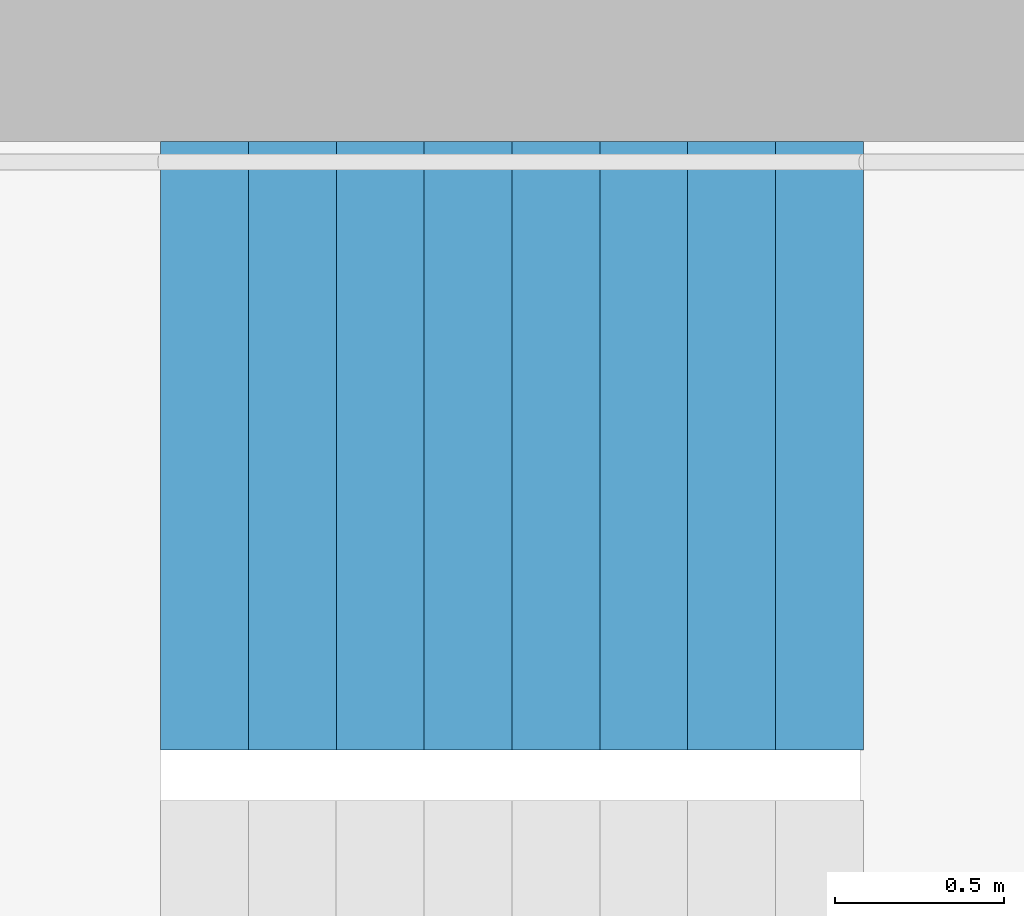
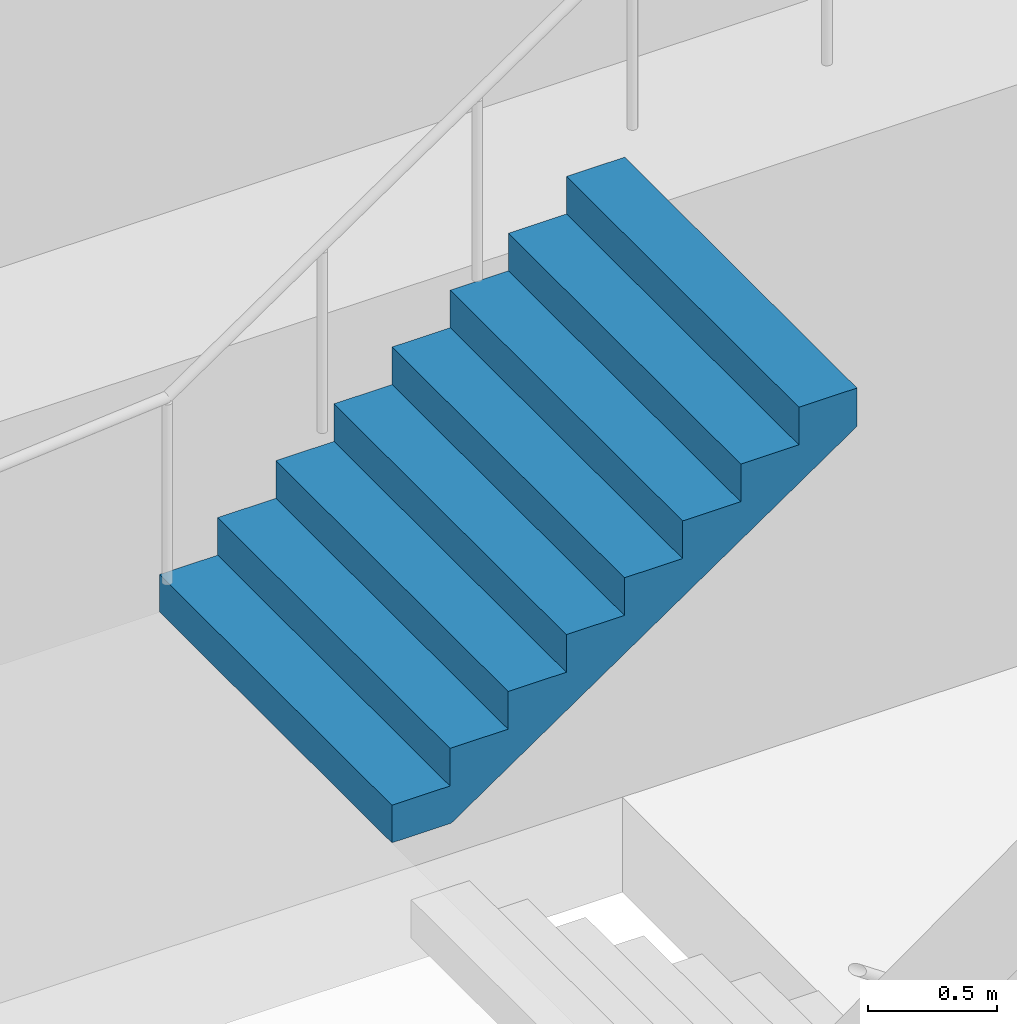
# One storey, part 23 of 29: 1 stair flight, 1 element without a shape of its own.
"""IFC4 building model written with IfcOpenShell, lengths in metres."""

from ifc_helpers import new_model, si_unit, direction, frame, origin, place, context, subcontext, project, spatial, triangles, material, type_object, element, aggregate, save


model = new_model("IFC4")

# Units and contexts
model_context = context("Model", 3, precision=1e-05, world=origin(), true_north=direction((0.0, 1.0)))
body_context = subcontext(model_context, "Body", "Model", "MODEL_VIEW")
ifc_project = project(units=[si_unit("LENGTHUNIT", "METRE"), si_unit("AREAUNIT", "SQUARE_METRE"), si_unit("VOLUMEUNIT", "CUBIC_METRE"), si_unit("PLANEANGLEUNIT", "RADIAN"), si_unit("MASSUNIT", "GRAM", prefix="KILO")], contexts=[model_context])

# Site, building, storey
site_placement = place(None, origin())
site = spatial("IfcSite", under=ifc_project, at=site_placement, CompositionType="ELEMENT")
building_placement = place(site_placement, origin())
building = spatial("IfcBuilding", under=site, at=building_placement, Name="Hakoniwa Tower and Hamabe Station Hall", CompositionType="ELEMENT")
storey_placement = place(building_placement, frame((0.0, 0.0, 163.0)))
storey = spatial("IfcBuildingStorey", under=building, at=storey_placement, Name="L46", CompositionType="ELEMENT", Elevation=163.0)

# Stair, stair flight
ifc_material_1 = material(Name="Concrete C40", Category="concrete")
stair_type = type_object("IfcStairType", Name="ESCAPE STAIR 1800", PredefinedType="HALF_TURN_STAIR", material=ifc_material_1)
stair_placement = place(storey_placement, origin())
stair = element("IfcStair", 1, at=stair_placement, inside=storey, type_object=stair_type, Name="Escape stair ST-3 L46", PredefinedType="HALF_TURN_STAIR")
ifc_material_2 = material(Name="Concrete C40", Category="concrete")
stair_flight_type = type_object("IfcStairFlightType", Name="STAIR FLIGHT 1800", PredefinedType="STRAIGHT", material=ifc_material_2)
stair_flight_placement = place(storey_placement, frame((22.320068359375, 6.60009765625, 1.60009765625), z_axis=(0.0, 0.0, 1.0), x_axis=(1.0, 0.0, 0.0)))
stair_flight = element("IfcStairFlight", 2, at=stair_flight_placement, type_object=stair_flight_type, Name="ST-3 flight 2", NumberOfRisers=9, NumberOfTreads=8, PredefinedType="STRAIGHT", RiserHeight=0.177777778, TreadLength=0.26, context=body_context, shape_type="Tessellation", body=[
    triangles([(0.0, 0.89990234375, 0.0), (0.260009765625, 0.89990234375, 0.0), (0.265625, 0.89990234375, 0.0), (0.52001953125, 0.89990234375, 0.174072265625), (0.780029296875, 0.89990234375, 0.351806640625), (1.0400390625, 0.89990234375, 0.529541015625), (1.300048828125, 0.89990234375, 0.707275390625), (1.56005859375, 0.89990234375, 0.885009765625), (1.820068359375, 0.89990234375, 1.062744140625), (2.080078125, 0.89990234375, 1.24072265625), (2.080078125, 0.89990234375, 1.422119140625), (1.820068359375, 0.89990234375, 1.422119140625), (1.820068359375, 0.89990234375, 1.244384765625), (1.56005859375, 0.89990234375, 1.244384765625), (1.56005859375, 0.89990234375, 1.066650390625), (1.300048828125, 0.89990234375, 1.066650390625), (1.300048828125, 0.89990234375, 0.888916015625), (1.0400390625, 0.89990234375, 0.888916015625), (1.0400390625, 0.89990234375, 0.711181640625), (0.780029296875, 0.89990234375, 0.711181640625), (0.780029296875, 0.89990234375, 0.533447265625), (0.52001953125, 0.89990234375, 0.533447265625), (0.52001953125, 0.89990234375, 0.35546875), (0.265625, 0.89990234375, 0.35546875), (0.260009765625, 0.89990234375, 0.35546875), (0.260009765625, 0.89990234375, 0.177734375), (0.0, 0.89990234375, 0.177734375), (0.0, 0.06005859375, 0.0), (0.260009765625, 0.06005859375, 0.0), (0.265625, 0.06005859375, 0.0), (0.52001953125, 0.06005859375, 0.174072265625), (0.780029296875, 0.06005859375, 0.351806640625), (1.0400390625, 0.06005859375, 0.529541015625), (1.300048828125, 0.06005859375, 0.707275390625), (1.56005859375, 0.06005859375, 0.885009765625), (1.820068359375, 0.06005859375, 1.062744140625), (2.080078125, 0.06005859375, 1.24072265625), (2.080078125, 0.06005859375, 1.422119140625), (1.820068359375, 0.06005859375, 1.422119140625), (1.820068359375, 0.06005859375, 1.244384765625), (1.56005859375, 0.06005859375, 1.244384765625), (1.56005859375, 0.06005859375, 1.066650390625), (1.300048828125, 0.06005859375, 1.066650390625), (1.300048828125, 0.06005859375, 0.888916015625), (1.0400390625, 0.06005859375, 0.888916015625), (1.0400390625, 0.06005859375, 0.711181640625), (0.780029296875, 0.06005859375, 0.711181640625), (0.780029296875, 0.06005859375, 0.533447265625), (0.52001953125, 0.06005859375, 0.533447265625), (0.52001953125, 0.06005859375, 0.35546875), (0.265625, 0.06005859375, 0.35546875), (0.260009765625, 0.06005859375, 0.35546875), (0.260009765625, 0.06005859375, 0.177734375), (0.0, 0.06005859375, 0.177734375), (0.0, 0.04296875, 0.0), (0.260009765625, 0.04296875, 0.0), (0.265625, 0.04296875, 0.0), (0.52001953125, 0.04296875, 0.174072265625), (0.780029296875, 0.04296875, 0.351806640625), (1.0400390625, 0.04296875, 0.529541015625), (1.300048828125, 0.04296875, 0.707275390625), (1.56005859375, 0.04296875, 0.885009765625), (1.820068359375, 0.04296875, 1.062744140625), (2.080078125, 0.04296875, 1.24072265625), (2.080078125, 0.04296875, 1.422119140625), (1.820068359375, 0.04296875, 1.422119140625), (1.820068359375, 0.04296875, 1.244384765625), (1.56005859375, 0.04296875, 1.244384765625), (1.56005859375, 0.04296875, 1.066650390625), (1.300048828125, 0.04296875, 1.066650390625), (1.300048828125, 0.04296875, 0.888916015625), (1.0400390625, 0.04296875, 0.888916015625), (1.0400390625, 0.04296875, 0.711181640625), (0.780029296875, 0.04296875, 0.711181640625), (0.780029296875, 0.04296875, 0.533447265625), (0.52001953125, 0.04296875, 0.533447265625), (0.52001953125, 0.04296875, 0.35546875), (0.265625, 0.04296875, 0.35546875), (0.260009765625, 0.04296875, 0.35546875), (0.260009765625, 0.04296875, 0.177734375), (0.0, 0.04296875, 0.177734375), (0.0, 0.025634765625, 0.0), (0.260009765625, 0.025634765625, 0.0), (0.265625, 0.025634765625, 0.0), (0.52001953125, 0.025634765625, 0.174072265625), (0.780029296875, 0.025634765625, 0.351806640625), (1.0400390625, 0.025634765625, 0.529541015625), (1.300048828125, 0.025634765625, 0.707275390625), (1.56005859375, 0.025634765625, 0.885009765625), (1.820068359375, 0.025634765625, 1.062744140625), (2.080078125, 0.025634765625, 1.24072265625), (2.080078125, 0.025634765625, 1.422119140625), (1.820068359375, 0.025634765625, 1.422119140625), (1.820068359375, 0.025634765625, 1.244384765625), (1.56005859375, 0.025634765625, 1.244384765625), (1.56005859375, 0.025634765625, 1.066650390625), (1.300048828125, 0.025634765625, 1.066650390625), (1.300048828125, 0.025634765625, 0.888916015625), (1.0400390625, 0.025634765625, 0.888916015625), (1.0400390625, 0.025634765625, 0.711181640625), (0.780029296875, 0.025634765625, 0.711181640625), (0.780029296875, 0.025634765625, 0.533447265625), (0.52001953125, 0.025634765625, 0.533447265625), (0.52001953125, 0.025634765625, 0.35546875), (0.265625, 0.025634765625, 0.35546875), (0.260009765625, 0.025634765625, 0.35546875), (0.260009765625, 0.025634765625, 0.177734375), (0.0, 0.025634765625, 0.177734375), (0.0, 0.008544921875, 0.0), (0.260009765625, 0.008544921875, 0.0), (0.265625, 0.008544921875, 0.0), (0.52001953125, 0.008544921875, 0.174072265625), (0.780029296875, 0.008544921875, 0.351806640625), (1.0400390625, 0.008544921875, 0.529541015625), (1.300048828125, 0.008544921875, 0.707275390625), (1.56005859375, 0.008544921875, 0.885009765625), (1.820068359375, 0.008544921875, 1.062744140625), (2.080078125, 0.008544921875, 1.24072265625), (2.080078125, 0.008544921875, 1.422119140625), (1.820068359375, 0.008544921875, 1.422119140625), (1.820068359375, 0.008544921875, 1.244384765625), (1.56005859375, 0.008544921875, 1.244384765625), (1.56005859375, 0.008544921875, 1.066650390625), (1.300048828125, 0.008544921875, 1.066650390625), (1.300048828125, 0.008544921875, 0.888916015625), (1.0400390625, 0.008544921875, 0.888916015625), (1.0400390625, 0.008544921875, 0.711181640625), (0.780029296875, 0.008544921875, 0.711181640625), (0.780029296875, 0.008544921875, 0.533447265625), (0.52001953125, 0.008544921875, 0.533447265625), (0.52001953125, 0.008544921875, 0.35546875), (0.265625, 0.008544921875, 0.35546875), (0.260009765625, 0.008544921875, 0.35546875), (0.260009765625, 0.008544921875, 0.177734375), (0.0, 0.008544921875, 0.177734375), (0.0, -0.008544921875, 0.0), (0.260009765625, -0.008544921875, 0.0), (0.265625, -0.008544921875, 0.0), (0.52001953125, -0.008544921875, 0.174072265625), (0.780029296875, -0.008544921875, 0.351806640625), (1.0400390625, -0.008544921875, 0.529541015625), (1.300048828125, -0.008544921875, 0.707275390625), (1.56005859375, -0.008544921875, 0.885009765625), (1.820068359375, -0.008544921875, 1.062744140625), (2.080078125, -0.008544921875, 1.24072265625), (2.080078125, -0.008544921875, 1.422119140625), (1.820068359375, -0.008544921875, 1.422119140625), (1.820068359375, -0.008544921875, 1.244384765625), (1.56005859375, -0.008544921875, 1.244384765625), (1.56005859375, -0.008544921875, 1.066650390625), (1.300048828125, -0.008544921875, 1.066650390625), (1.300048828125, -0.008544921875, 0.888916015625), (1.0400390625, -0.008544921875, 0.888916015625), (1.0400390625, -0.008544921875, 0.711181640625), (0.780029296875, -0.008544921875, 0.711181640625), (0.780029296875, -0.008544921875, 0.533447265625), (0.52001953125, -0.008544921875, 0.533447265625), (0.52001953125, -0.008544921875, 0.35546875), (0.265625, -0.008544921875, 0.35546875), (0.260009765625, -0.008544921875, 0.35546875), (0.260009765625, -0.008544921875, 0.177734375), (0.0, -0.008544921875, 0.177734375), (0.0, -0.025634765625, 0.0), (0.260009765625, -0.025634765625, 0.0), (0.265625, -0.025634765625, 0.0), (0.52001953125, -0.025634765625, 0.174072265625), (0.780029296875, -0.025634765625, 0.351806640625), (1.0400390625, -0.025634765625, 0.529541015625), (1.300048828125, -0.025634765625, 0.707275390625), (1.56005859375, -0.025634765625, 0.885009765625), (1.820068359375, -0.025634765625, 1.062744140625), (2.080078125, -0.025634765625, 1.24072265625), (2.080078125, -0.025634765625, 1.422119140625), (1.820068359375, -0.025634765625, 1.422119140625), (1.820068359375, -0.025634765625, 1.244384765625), (1.56005859375, -0.025634765625, 1.244384765625), (1.56005859375, -0.025634765625, 1.066650390625), (1.300048828125, -0.025634765625, 1.066650390625), (1.300048828125, -0.025634765625, 0.888916015625), (1.0400390625, -0.025634765625, 0.888916015625), (1.0400390625, -0.025634765625, 0.711181640625), (0.780029296875, -0.025634765625, 0.711181640625), (0.780029296875, -0.025634765625, 0.533447265625), (0.52001953125, -0.025634765625, 0.533447265625), (0.52001953125, -0.025634765625, 0.35546875), (0.265625, -0.025634765625, 0.35546875), (0.260009765625, -0.025634765625, 0.35546875), (0.260009765625, -0.025634765625, 0.177734375), (0.0, -0.025634765625, 0.177734375), (0.0, -0.04296875, 0.0), (0.260009765625, -0.04296875, 0.0), (0.265625, -0.04296875, 0.0), (0.52001953125, -0.04296875, 0.174072265625), (0.780029296875, -0.04296875, 0.351806640625), (1.0400390625, -0.04296875, 0.529541015625), (1.300048828125, -0.04296875, 0.707275390625), (1.56005859375, -0.04296875, 0.885009765625), (1.820068359375, -0.04296875, 1.062744140625), (2.080078125, -0.04296875, 1.24072265625), (2.080078125, -0.04296875, 1.422119140625), (1.820068359375, -0.04296875, 1.422119140625), (1.820068359375, -0.04296875, 1.244384765625), (1.56005859375, -0.04296875, 1.244384765625), (1.56005859375, -0.04296875, 1.066650390625), (1.300048828125, -0.04296875, 1.066650390625), (1.300048828125, -0.04296875, 0.888916015625), (1.0400390625, -0.04296875, 0.888916015625), (1.0400390625, -0.04296875, 0.711181640625), (0.780029296875, -0.04296875, 0.711181640625), (0.780029296875, -0.04296875, 0.533447265625), (0.52001953125, -0.04296875, 0.533447265625), (0.52001953125, -0.04296875, 0.35546875), (0.265625, -0.04296875, 0.35546875), (0.260009765625, -0.04296875, 0.35546875), (0.260009765625, -0.04296875, 0.177734375), (0.0, -0.04296875, 0.177734375), (0.0, -0.06005859375, 0.0), (0.260009765625, -0.06005859375, 0.0), (0.265625, -0.06005859375, 0.0), (0.52001953125, -0.06005859375, 0.174072265625), (0.780029296875, -0.06005859375, 0.351806640625), (1.0400390625, -0.06005859375, 0.529541015625), (1.300048828125, -0.06005859375, 0.707275390625), (1.56005859375, -0.06005859375, 0.885009765625), (1.820068359375, -0.06005859375, 1.062744140625), (2.080078125, -0.06005859375, 1.24072265625), (2.080078125, -0.06005859375, 1.422119140625), (1.820068359375, -0.06005859375, 1.422119140625), (1.820068359375, -0.06005859375, 1.244384765625), (1.56005859375, -0.06005859375, 1.244384765625), (1.56005859375, -0.06005859375, 1.066650390625), (1.300048828125, -0.06005859375, 1.066650390625), (1.300048828125, -0.06005859375, 0.888916015625), (1.0400390625, -0.06005859375, 0.888916015625), (1.0400390625, -0.06005859375, 0.711181640625), (0.780029296875, -0.06005859375, 0.711181640625), (0.780029296875, -0.06005859375, 0.533447265625), (0.52001953125, -0.06005859375, 0.533447265625), (0.52001953125, -0.06005859375, 0.35546875), (0.265625, -0.06005859375, 0.35546875), (0.260009765625, -0.06005859375, 0.35546875), (0.260009765625, -0.06005859375, 0.177734375), (0.0, -0.06005859375, 0.177734375), (0.0, -0.89990234375, 0.0), (0.260009765625, -0.89990234375, 0.0), (0.265625, -0.89990234375, 0.0), (0.52001953125, -0.89990234375, 0.174072265625), (0.780029296875, -0.89990234375, 0.351806640625), (1.0400390625, -0.89990234375, 0.529541015625), (1.300048828125, -0.89990234375, 0.707275390625), (1.56005859375, -0.89990234375, 0.885009765625), (1.820068359375, -0.89990234375, 1.062744140625), (2.080078125, -0.89990234375, 1.24072265625), (2.080078125, -0.89990234375, 1.422119140625), (1.820068359375, -0.89990234375, 1.422119140625), (1.820068359375, -0.89990234375, 1.244384765625), (1.56005859375, -0.89990234375, 1.244384765625), (1.56005859375, -0.89990234375, 1.066650390625), (1.300048828125, -0.89990234375, 1.066650390625), (1.300048828125, -0.89990234375, 0.888916015625), (1.0400390625, -0.89990234375, 0.888916015625), (1.0400390625, -0.89990234375, 0.711181640625), (0.780029296875, -0.89990234375, 0.711181640625), (0.780029296875, -0.89990234375, 0.533447265625), (0.52001953125, -0.89990234375, 0.533447265625), (0.52001953125, -0.89990234375, 0.35546875), (0.265625, -0.89990234375, 0.35546875), (0.260009765625, -0.89990234375, 0.35546875), (0.260009765625, -0.89990234375, 0.177734375), (0.0, -0.89990234375, 0.177734375)], [[2, 27, 26], [245, 269, 270], [2, 1, 27], [245, 270, 244], [3, 25, 24], [246, 267, 268], [3, 26, 25], [246, 268, 269], [3, 2, 26], [246, 269, 245], [4, 24, 23], [247, 266, 267], [4, 3, 24], [247, 267, 246], [5, 22, 21], [248, 264, 265], [5, 23, 22], [248, 265, 266], [5, 4, 23], [248, 266, 247], [6, 20, 19], [249, 262, 263], [6, 21, 20], [249, 263, 264], [6, 5, 21], [249, 264, 248], [7, 18, 17], [250, 260, 261], [7, 19, 18], [250, 261, 262], [7, 6, 19], [250, 262, 249], [8, 16, 15], [251, 258, 259], [8, 17, 16], [251, 259, 260], [8, 7, 17], [251, 260, 250], [9, 14, 13], [252, 256, 257], [9, 15, 14], [252, 257, 258], [9, 8, 15], [252, 258, 251], [10, 12, 11], [253, 254, 255], [10, 13, 12], [253, 255, 256], [10, 9, 13], [253, 256, 252], [1, 2, 29], [1, 29, 28], [28, 29, 56], [28, 56, 55], [55, 56, 83], [55, 83, 82], [82, 83, 110], [82, 110, 109], [109, 110, 137], [109, 137, 136], [136, 137, 164], [136, 164, 163], [163, 164, 191], [163, 191, 190], [190, 191, 218], [190, 218, 217], [217, 218, 245], [217, 245, 244], [2, 3, 30], [2, 30, 29], [29, 30, 57], [29, 57, 56], [56, 57, 84], [56, 84, 83], [83, 84, 111], [83, 111, 110], [110, 111, 138], [110, 138, 137], [137, 138, 165], [137, 165, 164], [164, 165, 192], [164, 192, 191], [191, 192, 219], [191, 219, 218], [218, 219, 246], [218, 246, 245], [3, 4, 31], [3, 31, 30], [30, 31, 58], [30, 58, 57], [57, 58, 85], [57, 85, 84], [84, 85, 112], [84, 112, 111], [111, 112, 139], [111, 139, 138], [138, 139, 166], [138, 166, 165], [165, 166, 193], [165, 193, 192], [192, 193, 220], [192, 220, 219], [219, 220, 247], [219, 247, 246], [4, 5, 32], [4, 32, 31], [31, 32, 59], [31, 59, 58], [58, 59, 86], [58, 86, 85], [85, 86, 113], [85, 113, 112], [112, 113, 140], [112, 140, 139], [139, 140, 167], [139, 167, 166], [166, 167, 194], [166, 194, 193], [193, 194, 221], [193, 221, 220], [220, 221, 248], [220, 248, 247], [5, 6, 33], [5, 33, 32], [32, 33, 60], [32, 60, 59], [59, 60, 87], [59, 87, 86], [86, 87, 114], [86, 114, 113], [113, 114, 141], [113, 141, 140], [140, 141, 168], [140, 168, 167], [167, 168, 195], [167, 195, 194], [194, 195, 222], [194, 222, 221], [221, 222, 249], [221, 249, 248], [6, 7, 34], [6, 34, 33], [33, 34, 61], [33, 61, 60], [60, 61, 88], [60, 88, 87], [87, 88, 115], [87, 115, 114], [114, 115, 142], [114, 142, 141], [141, 142, 169], [141, 169, 168], [168, 169, 196], [168, 196, 195], [195, 196, 223], [195, 223, 222], [222, 223, 250], [222, 250, 249], [7, 8, 35], [7, 35, 34], [34, 35, 62], [34, 62, 61], [61, 62, 89], [61, 89, 88], [88, 89, 116], [88, 116, 115], [115, 116, 143], [115, 143, 142], [142, 143, 170], [142, 170, 169], [169, 170, 197], [169, 197, 196], [196, 197, 224], [196, 224, 223], [223, 224, 251], [223, 251, 250], [8, 9, 36], [8, 36, 35], [35, 36, 63], [35, 63, 62], [62, 63, 90], [62, 90, 89], [89, 90, 117], [89, 117, 116], [116, 117, 144], [116, 144, 143], [143, 144, 171], [143, 171, 170], [170, 171, 198], [170, 198, 197], [197, 198, 225], [197, 225, 224], [224, 225, 252], [224, 252, 251], [9, 10, 37], [9, 37, 36], [36, 37, 64], [36, 64, 63], [63, 64, 91], [63, 91, 90], [90, 91, 118], [90, 118, 117], [117, 118, 145], [117, 145, 144], [144, 145, 172], [144, 172, 171], [171, 172, 199], [171, 199, 198], [198, 199, 226], [198, 226, 225], [225, 226, 253], [225, 253, 252], [10, 11, 38], [10, 38, 37], [37, 38, 65], [37, 65, 64], [64, 65, 92], [64, 92, 91], [91, 92, 119], [91, 119, 118], [118, 119, 146], [118, 146, 145], [145, 146, 173], [145, 173, 172], [172, 173, 200], [172, 200, 199], [199, 200, 227], [199, 227, 226], [226, 227, 254], [226, 254, 253], [11, 12, 39], [11, 39, 38], [38, 39, 66], [38, 66, 65], [65, 66, 93], [65, 93, 92], [92, 93, 120], [92, 120, 119], [119, 120, 147], [119, 147, 146], [146, 147, 174], [146, 174, 173], [173, 174, 201], [173, 201, 200], [200, 201, 228], [200, 228, 227], [227, 228, 255], [227, 255, 254], [12, 13, 40], [12, 40, 39], [39, 40, 67], [39, 67, 66], [66, 67, 94], [66, 94, 93], [93, 94, 121], [93, 121, 120], [120, 121, 148], [120, 148, 147], [147, 148, 175], [147, 175, 174], [174, 175, 202], [174, 202, 201], [201, 202, 229], [201, 229, 228], [228, 229, 256], [228, 256, 255], [13, 14, 41], [13, 41, 40], [40, 41, 68], [40, 68, 67], [67, 68, 95], [67, 95, 94], [94, 95, 122], [94, 122, 121], [121, 122, 149], [121, 149, 148], [148, 149, 176], [148, 176, 175], [175, 176, 203], [175, 203, 202], [202, 203, 230], [202, 230, 229], [229, 230, 257], [229, 257, 256], [14, 15, 42], [14, 42, 41], [41, 42, 69], [41, 69, 68], [68, 69, 96], [68, 96, 95], [95, 96, 123], [95, 123, 122], [122, 123, 150], [122, 150, 149], [149, 150, 177], [149, 177, 176], [176, 177, 204], [176, 204, 203], [203, 204, 231], [203, 231, 230], [230, 231, 258], [230, 258, 257], [15, 16, 43], [15, 43, 42], [42, 43, 70], [42, 70, 69], [69, 70, 97], [69, 97, 96], [96, 97, 124], [96, 124, 123], [123, 124, 151], [123, 151, 150], [150, 151, 178], [150, 178, 177], [177, 178, 205], [177, 205, 204], [204, 205, 232], [204, 232, 231], [231, 232, 259], [231, 259, 258], [16, 17, 44], [16, 44, 43], [43, 44, 71], [43, 71, 70], [70, 71, 98], [70, 98, 97], [97, 98, 125], [97, 125, 124], [124, 125, 152], [124, 152, 151], [151, 152, 179], [151, 179, 178], [178, 179, 206], [178, 206, 205], [205, 206, 233], [205, 233, 232], [232, 233, 260], [232, 260, 259], [17, 18, 45], [17, 45, 44], [44, 45, 72], [44, 72, 71], [71, 72, 99], [71, 99, 98], [98, 99, 126], [98, 126, 125], [125, 126, 153], [125, 153, 152], [152, 153, 180], [152, 180, 179], [179, 180, 207], [179, 207, 206], [206, 207, 234], [206, 234, 233], [233, 234, 261], [233, 261, 260], [18, 19, 46], [18, 46, 45], [45, 46, 73], [45, 73, 72], [72, 73, 100], [72, 100, 99], [99, 100, 127], [99, 127, 126], [126, 127, 154], [126, 154, 153], [153, 154, 181], [153, 181, 180], [180, 181, 208], [180, 208, 207], [207, 208, 235], [207, 235, 234], [234, 235, 262], [234, 262, 261], [19, 20, 47], [19, 47, 46], [46, 47, 74], [46, 74, 73], [73, 74, 101], [73, 101, 100], [100, 101, 128], [100, 128, 127], [127, 128, 155], [127, 155, 154], [154, 155, 182], [154, 182, 181], [181, 182, 209], [181, 209, 208], [208, 209, 236], [208, 236, 235], [235, 236, 263], [235, 263, 262], [20, 21, 48], [20, 48, 47], [47, 48, 75], [47, 75, 74], [74, 75, 102], [74, 102, 101], [101, 102, 129], [101, 129, 128], [128, 129, 156], [128, 156, 155], [155, 156, 183], [155, 183, 182], [182, 183, 210], [182, 210, 209], [209, 210, 237], [209, 237, 236], [236, 237, 264], [236, 264, 263], [21, 22, 49], [21, 49, 48], [48, 49, 76], [48, 76, 75], [75, 76, 103], [75, 103, 102], [102, 103, 130], [102, 130, 129], [129, 130, 157], [129, 157, 156], [156, 157, 184], [156, 184, 183], [183, 184, 211], [183, 211, 210], [210, 211, 238], [210, 238, 237], [237, 238, 265], [237, 265, 264], [22, 23, 50], [22, 50, 49], [49, 50, 77], [49, 77, 76], [76, 77, 104], [76, 104, 103], [103, 104, 131], [103, 131, 130], [130, 131, 158], [130, 158, 157], [157, 158, 185], [157, 185, 184], [184, 185, 212], [184, 212, 211], [211, 212, 239], [211, 239, 238], [238, 239, 266], [238, 266, 265], [23, 24, 51], [23, 51, 50], [50, 51, 78], [50, 78, 77], [77, 78, 105], [77, 105, 104], [104, 105, 132], [104, 132, 131], [131, 132, 159], [131, 159, 158], [158, 159, 186], [158, 186, 185], [185, 186, 213], [185, 213, 212], [212, 213, 240], [212, 240, 239], [239, 240, 267], [239, 267, 266], [24, 25, 52], [24, 52, 51], [51, 52, 79], [51, 79, 78], [78, 79, 106], [78, 106, 105], [105, 106, 133], [105, 133, 132], [132, 133, 160], [132, 160, 159], [159, 160, 187], [159, 187, 186], [186, 187, 214], [186, 214, 213], [213, 214, 241], [213, 241, 240], [240, 241, 268], [240, 268, 267], [25, 26, 53], [25, 53, 52], [52, 53, 80], [52, 80, 79], [79, 80, 107], [79, 107, 106], [106, 107, 134], [106, 134, 133], [133, 134, 161], [133, 161, 160], [160, 161, 188], [160, 188, 187], [187, 188, 215], [187, 215, 214], [214, 215, 242], [214, 242, 241], [241, 242, 269], [241, 269, 268], [26, 27, 54], [26, 54, 53], [53, 54, 81], [53, 81, 80], [80, 81, 108], [80, 108, 107], [107, 108, 135], [107, 135, 134], [134, 135, 162], [134, 162, 161], [161, 162, 189], [161, 189, 188], [188, 189, 216], [188, 216, 215], [215, 216, 243], [215, 243, 242], [242, 243, 270], [242, 270, 269], [27, 1, 28], [27, 28, 54], [54, 28, 55], [54, 55, 81], [81, 55, 82], [81, 82, 108], [108, 82, 109], [108, 109, 135], [135, 109, 136], [135, 136, 162], [162, 136, 163], [162, 163, 189], [189, 163, 190], [189, 190, 216], [216, 190, 217], [216, 217, 243], [243, 217, 244], [243, 244, 270]], closed=True),
])
aggregate(stair, [stair_flight])

save(model, "model.ifc")
